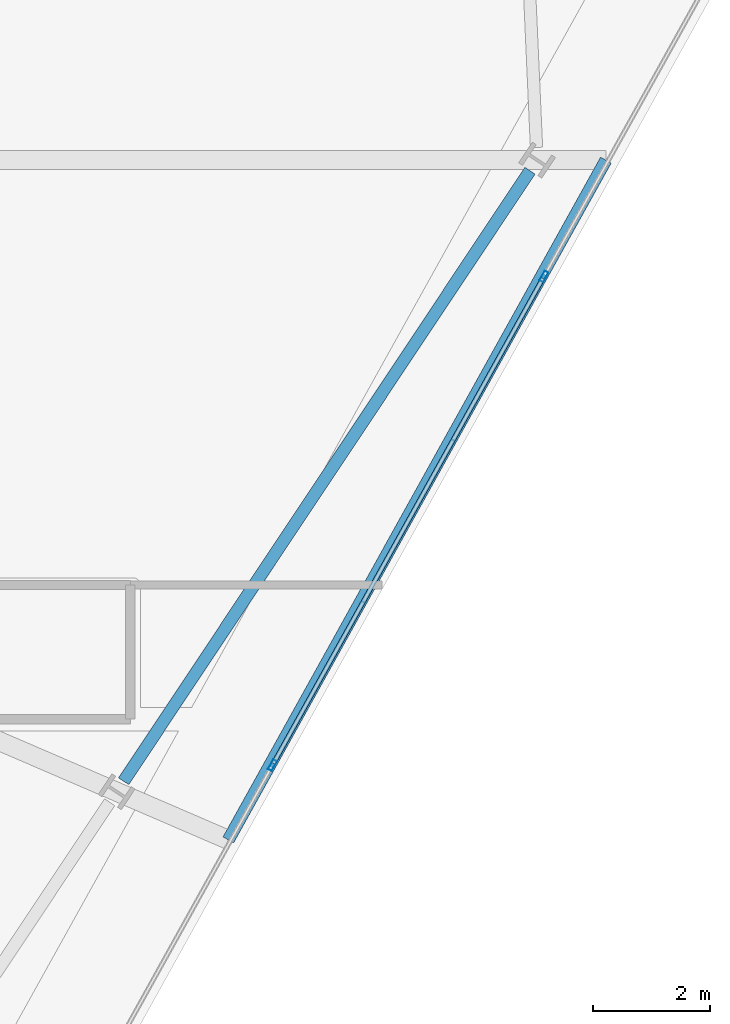
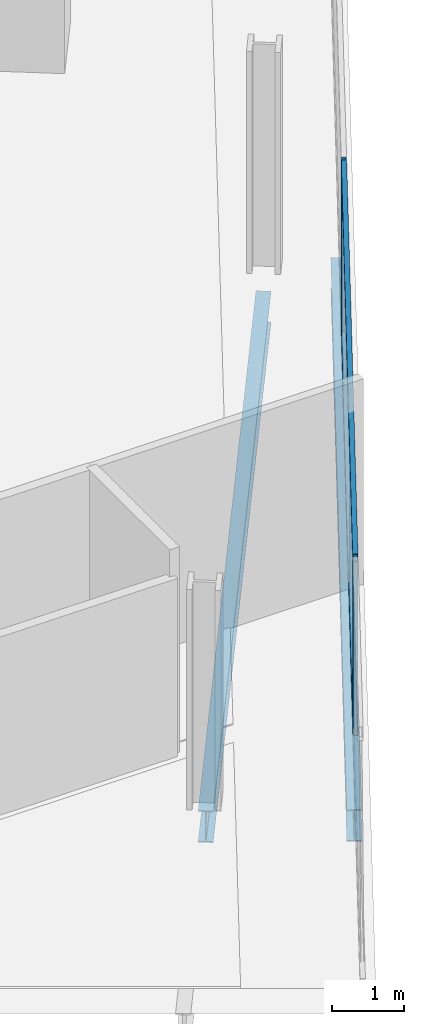
# One storey, part 10 of 28: 4 members, 2 beams, 1 element without a shape of its own.
"""IFC4 building model written with IfcOpenShell, lengths in metres."""

from ifc_helpers import new_model, si_unit, direction, frame, origin, origin_2d, place, context, subcontext, project, spatial, hollow_rectangle, i_section, extrude, material, material_profile, profile_set, type_object, element, aggregate, save


model = new_model("IFC4")

# Units and contexts
model_context = context("Model", 3, precision=1e-05, world=origin(), true_north=direction((0.0, 1.0)))
body_context = subcontext(model_context, "Body", "Model", "MODEL_VIEW")
ifc_project = project(units=[si_unit("LENGTHUNIT", "METRE"), si_unit("AREAUNIT", "SQUARE_METRE"), si_unit("VOLUMEUNIT", "CUBIC_METRE"), si_unit("PLANEANGLEUNIT", "RADIAN"), si_unit("MASSUNIT", "GRAM", prefix="KILO")], contexts=[model_context])

# Site, building, storey
site_placement = place(None, origin())
site = spatial("IfcSite", under=ifc_project, at=site_placement, CompositionType="ELEMENT")
building_placement = place(site_placement, origin())
building = spatial("IfcBuilding", under=site, at=building_placement, Name="Haldenkirk Collegiate Tower", CompositionType="ELEMENT")
storey_placement = place(building_placement, frame((0.0, 0.0, 232.199951171875)))
storey = spatial("IfcBuildingStorey", under=building, at=storey_placement, Name="L58", CompositionType="ELEMENT", Elevation=232.199951171875)

# Beams
ifc_material_1 = material(Name="Steel ASTM A992 Grade 50", Category="steel")
ifc_material_profile_1 = material_profile(ifc_material_1, i_section(OverallWidth=0.2099609375, OverallDepth=0.537109375, WebThickness=0.010986328125, FlangeThickness=0.017333984375, at=origin_2d()), Name="W21X68")
ifc_profile_set_1 = profile_set([ifc_material_profile_1], Name="Steel ASTM A992 Grade 50")
beam_type = type_object("IfcBeamType", Name="BM-SPANDREL-W21X68", PredefinedType="SPANDREL", material=ifc_profile_set_1)
beam_1_placement = place(storey_placement, frame((53.6845703125, 14.48876953125, -0.54833984375), z_axis=(0.554125989098, 0.832432813028, 0.0), x_axis=(-0.832432813028, 0.554125989098, 0.0)))
element("IfcBeam", 1, at=beam_1_placement, inside=storey, type_object=beam_type, Name="L58 perimeter spandrel beam 03", PredefinedType="SPANDREL", context=body_context, shape_type="SweptSolid", body=[
    extrude(i_section(OverallWidth=0.2099609375, OverallDepth=0.537109375, WebThickness=0.010986328125, FlangeThickness=0.017333984375, at=origin_2d()), origin(), (0.0, 0.0, 1.0), 12.56201171875),
])
beam_2_placement = place(storey_placement, frame((55.4775390625, 13.4833984375, -0.54833984375), z_axis=(0.485580674684, 0.874191860162, 0.0), x_axis=(-0.874191860162, 0.485580674684, 0.0)))
element("IfcBeam", 2, at=beam_2_placement, inside=storey, type_object=beam_type, Name="L58 outer facade edge beam 1", PredefinedType="SPANDREL", context=body_context, shape_type="SweptSolid", body=[
    extrude(i_section(OverallWidth=0.2099609375, OverallDepth=0.537109375, WebThickness=0.010986328125, FlangeThickness=0.017333984375, at=origin_2d()), origin(), (0.0, 0.0, 1.0), 13.318603515625),
])

# Curtain wall, members
ifc_material_2 = material(Name="Anodised architectural bronze aluminium", Category="aluminium")
curtain_wall_type = type_object("IfcCurtainWallType", Name="CW-SYS2-CONCAVE", PredefinedType="USERDEFINED", material=ifc_material_2)
curtain_wall_placement = place(storey_placement, origin())
curtain_wall = element("IfcCurtainWall", 3, at=curtain_wall_placement, inside=storey, type_object=curtain_wall_type, Name="L58 South concave recessed bronze-anodised curtain wall", ObjectType="UNITISED CURTAIN WALL", PredefinedType="USERDEFINED")
ifc_material_profile_2 = material_profile(ifc_material_2, hollow_rectangle(XDim=0.074951171875, YDim=0.18994140625, WallThickness=0.0048828125, at=origin_2d()), Name="CW-MUL-02")
ifc_profile_set_2 = profile_set([ifc_material_profile_2], Name="Anodised architectural bronze aluminium")
member_type_1 = type_object("IfcMemberType", Name="CW-MUL-02", PredefinedType="MULLION", material=ifc_profile_set_2)
member_1_placement = place(storey_placement, frame((60.882568359375, 23.1318359375, 0.0), z_axis=(0.0, 0.0, 1.0), x_axis=(0.874195452624, -0.485574207111, 0.0)))
member_1 = element("IfcMember", 4, at=member_1_placement, type_object=member_type_1, Name="CW-02 mullion 2", PredefinedType="MULLION", context=body_context, shape_type="SweptSolid", body=[
    extrude(hollow_rectangle(XDim=0.074951171875, YDim=0.18994140625, WallThickness=0.0048828125, at=origin_2d()), origin(), (0.0, 0.0, 1.0), 2.927978515625),
])
member_2_placement = place(storey_placement, frame((56.233154296875, 14.761474609375, 0.0), z_axis=(0.0, 0.0, 1.0), x_axis=(0.874195452624, -0.485574207111, 0.0)))
member_2 = element("IfcMember", 5, at=member_2_placement, type_object=member_type_1, Name="CW-02 mullion 3", PredefinedType="MULLION", context=body_context, shape_type="SweptSolid", body=[
    extrude(hollow_rectangle(XDim=0.074951171875, YDim=0.18994140625, WallThickness=0.0048828125, at=origin_2d()), origin(), (0.0, 0.0, 1.0), 2.927978515625),
])
ifc_material_profile_3 = material_profile(ifc_material_2, hollow_rectangle(XDim=0.074951171875, YDim=0.159912109375, WallThickness=0.0048828125, at=origin_2d()), Name="CW-TRN-02")
ifc_profile_set_3 = profile_set([ifc_material_profile_3], Name="Anodised architectural bronze aluminium")
member_type_2 = type_object("IfcMemberType", Name="CW-TRN-02", PredefinedType="USERDEFINED", material=ifc_profile_set_3)
member_3_placement = place(storey_placement, frame((60.864501953125, 23.09912109375, 0.03759765625), z_axis=(-0.485577470792, -0.874193639796, 0.0), x_axis=(0.874193639796, -0.485577470792, 0.0)))
member_3 = element("IfcMember", 6, at=member_3_placement, type_object=member_type_2, Name="CW-02 transom 2.1", ObjectType="TRANSOM", PredefinedType="USERDEFINED", context=body_context, shape_type="SweptSolid", body=[
    extrude(hollow_rectangle(XDim=0.074951171875, YDim=0.159912109375, WallThickness=0.0048828125, at=origin_2d()), origin(), (0.0, 0.0, 1.0), 9.5),
])
member_4_placement = place(storey_placement, frame((60.864501953125, 23.09912109375, 2.890625), z_axis=(-0.485577470792, -0.874193639796, 0.0), x_axis=(0.874193639796, -0.485577470792, 0.0)))
member_4 = element("IfcMember", 7, at=member_4_placement, type_object=member_type_2, Name="CW-02 transom 2.2", ObjectType="TRANSOM", PredefinedType="USERDEFINED", context=body_context, shape_type="SweptSolid", body=[
    extrude(hollow_rectangle(XDim=0.074951171875, YDim=0.159912109375, WallThickness=0.0048828125, at=origin_2d()), origin(), (0.0, 0.0, 1.0), 9.5),
])
aggregate(curtain_wall, [member_1, member_2, member_3, member_4])

save(model, "model.ifc")
